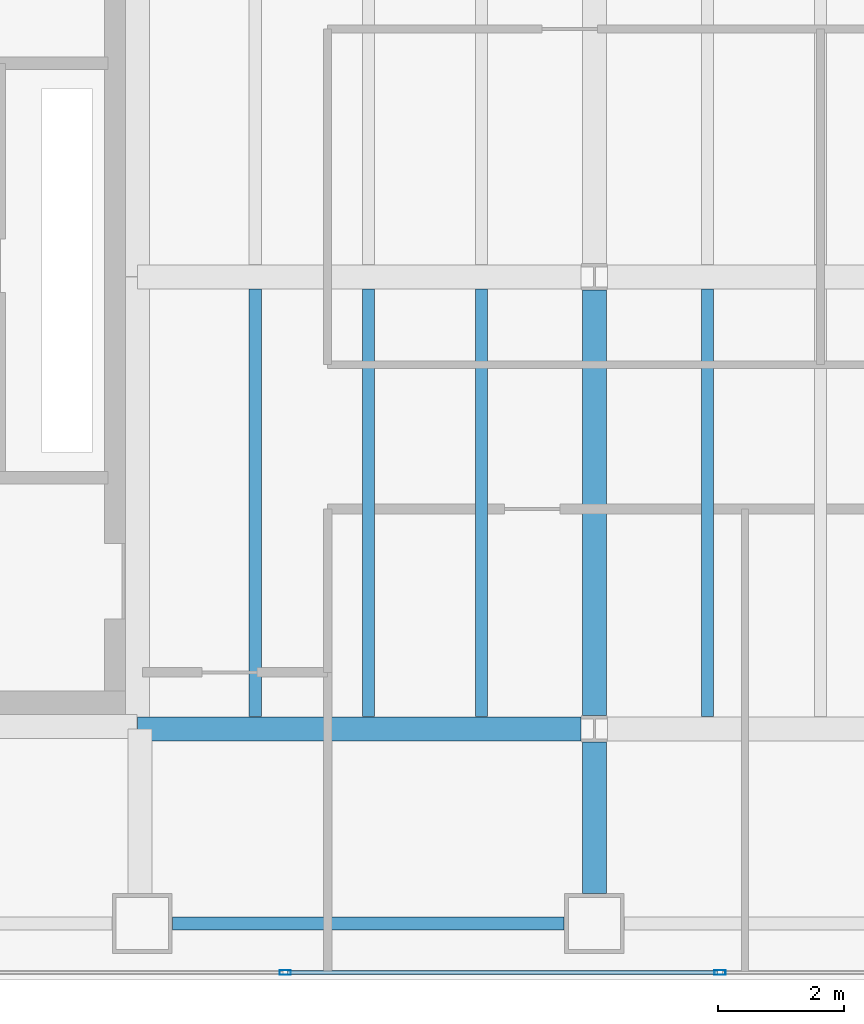
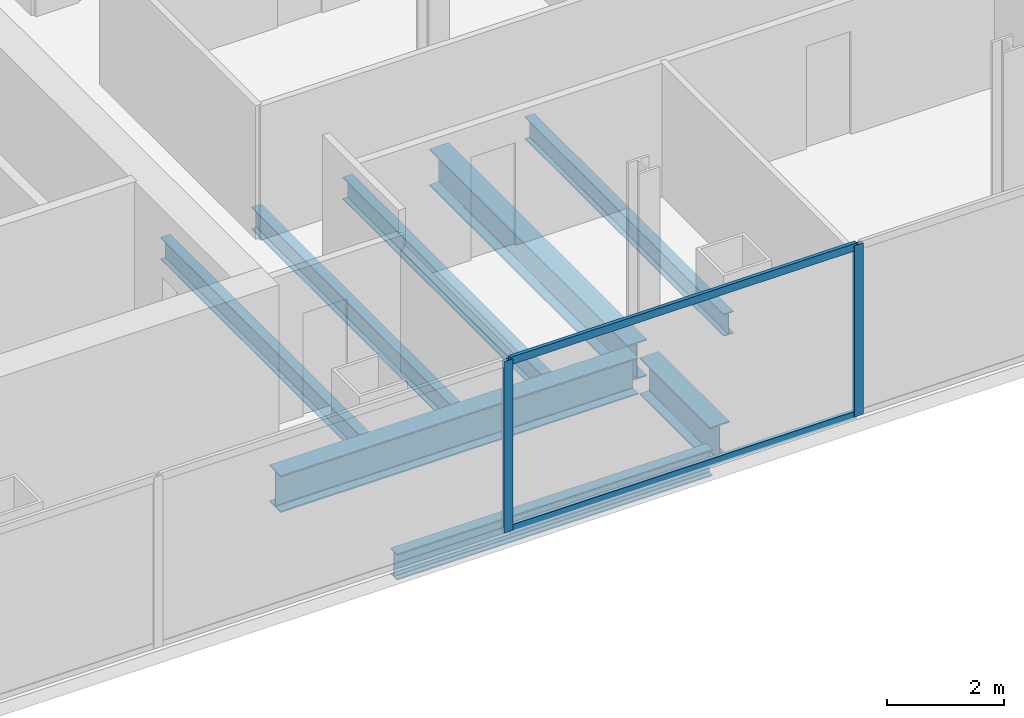
# One storey, part 4 of 24: 8 beams, 4 members, 1 element without a shape of its own.
"""IFC4 building model written with IfcOpenShell, lengths in metres."""

import ifcopenshell
import ifcopenshell.guid

model = None  # the IFC model being written
_history = None  # IfcOwnerHistory: only IFC2X3 demands one
_inside = {}  # id of a spatial element -> (the spatial element, [elements in it])
_under = {}  # id of a project, library or spatial element -> (it, [spatial elements below it])
_declared = {}  # id of a project -> (the project, [libraries it declares])
_typed = {}  # id of a type object -> (the type object, [elements of that type])
_made_of = {}  # id of a material, layer set ... -> (it, [elements and type objects made of it])


def new_model(schema):
    """Start an empty IFC model of exactly this schema.

    Asked for "IFC4X3", IfcOpenShell would pick the latest addendum, in which some entities
    have other attributes; the version numbers below select the first issue.
    IFC2X3 requires an IfcOwnerHistory on every rooted entity: one is made here for all.
    """
    global model, _history
    if schema == "IFC4X3":
        model = ifcopenshell.file(schema_version=(4, 3, 0, 0))
    else:
        model = ifcopenshell.file(schema=schema)
    _inside.clear()
    _under.clear()
    _declared.clear()
    _typed.clear()
    _made_of.clear()
    _history = None
    if model.schema == "IFC2X3":
        org = make("IfcOrganization", Name="unknown")
        user = make(
            "IfcPersonAndOrganization",
            ThePerson=make("IfcPerson", FamilyName="unknown"),
            TheOrganization=org,
        )
        app = make(
            "IfcApplication",
            ApplicationDeveloper=org,
            Version="unknown",
            ApplicationFullName="unknown",
            ApplicationIdentifier="unknown",
        )
        _history = make(
            "IfcOwnerHistory",
            OwningUser=user,
            OwningApplication=app,
            ChangeAction="ADDED",
            CreationDate=0,
        )
    return model


def make(cls, **values):
    """One entity of the class cls with the attributes given. An attribute that is None is left unset."""
    return model.create_entity(
        cls, **{name: value for name, value in values.items() if value is not None}
    )


def rooted(cls, **values):
    """An entity with a GlobalId (a new one), such as an element, a storey or a relation."""
    return make(cls, GlobalId=ifcopenshell.guid.new(), OwnerHistory=_history, **values)


def si_unit(unit_type, name, prefix=None):
    """IfcSIUnit, for example si_unit("LENGTHUNIT", "METRE", prefix="MILLI")."""
    return make("IfcSIUnit", UnitType=unit_type, Prefix=prefix, Name=name)


def assignment(units):
    """IfcUnitAssignment: the units of a project."""
    return None if units is None else make("IfcUnitAssignment", Units=units)


def point(xyz):
    """IfcCartesianPoint."""
    return None if xyz is None else make("IfcCartesianPoint", Coordinates=xyz)


def direction(xyz):
    """IfcDirection."""
    return None if xyz is None else make("IfcDirection", DirectionRatios=xyz)


def frame(location, z_axis=None, x_axis=None):
    """IfcAxis2Placement3D, a coordinate frame: its origin and axes. An axis left out is left unset."""
    return make(
        "IfcAxis2Placement3D",
        Location=point(location),
        Axis=direction(z_axis),
        RefDirection=direction(x_axis),
    )


def frame_2d(location, x_axis=None):
    """IfcAxis2Placement2D, a coordinate frame in the plane: its origin and x axis."""
    return make(
        "IfcAxis2Placement2D", Location=point(location), RefDirection=direction(x_axis)
    )


def origin():
    """The frame at (0, 0, 0) with its axes left unset."""
    return frame((0.0, 0.0, 0.0))


def origin_2d():
    """The frame at (0, 0) in the plane with its x axis left unset."""
    return frame_2d((0.0, 0.0))


def place(relative_to, where):
    """IfcLocalPlacement: puts the frame where relative to a parent placement (None: the world)."""
    return make(
        "IfcLocalPlacement", PlacementRelTo=relative_to, RelativePlacement=where
    )


def context(
    kind, dimensions, precision=None, world=None, true_north=None, identifier=None
):
    """IfcGeometricRepresentationContext, for example the 3D "Model" context."""
    return make(
        "IfcGeometricRepresentationContext",
        ContextIdentifier=identifier,
        ContextType=kind,
        CoordinateSpaceDimension=dimensions,
        Precision=precision,
        WorldCoordinateSystem=world,
        TrueNorth=true_north,
    )


def subcontext(parent, identifier, kind, view, scale=None):
    """IfcGeometricRepresentationSubContext, for example "Body" below "Model"."""
    return make(
        "IfcGeometricRepresentationSubContext",
        ContextIdentifier=identifier,
        ContextType=kind,
        ParentContext=parent,
        TargetScale=scale,
        TargetView=view,
    )


def project(units=None, contexts=None):
    """IfcProject with its units and contexts."""
    return rooted(
        "IfcProject",
        Name="project",
        RepresentationContexts=contexts,
        UnitsInContext=assignment(units),
    )


def spatial(cls, under=None, at=None, **own):
    """A site, building, storey or space (cls), placed at a placement, below another one or the project."""
    s = rooted(cls, ObjectPlacement=at, **own)
    if under is not None:
        _under.setdefault(under.id(), (under, []))[1].append(s)
    return s


def profile(cls, at=None, kind="AREA", **sizes):
    """A parametric profile (cls). Its sizes go by their IFC names, for example OverallWidth=200.0."""
    return make(cls, ProfileType=kind, Position=at, **sizes)


def hollow_rectangle(**sizes):
    """IfcRectangleHollowProfileDef."""
    return profile("IfcRectangleHollowProfileDef", **sizes)


def i_section(**sizes):
    """IfcIShapeProfileDef."""
    return profile("IfcIShapeProfileDef", **sizes)


def extrude(swept, where, along, depth):
    """IfcExtrudedAreaSolid: the profile swept, set in the frame where, extruded along a direction by depth."""
    return make(
        "IfcExtrudedAreaSolid",
        SweptArea=swept,
        Position=where,
        ExtrudedDirection=direction(along),
        Depth=depth,
    )


def shape(context_of_items, identifier, shape_type, items):
    """IfcShapeRepresentation: the items that make up one representation, for example the "Body"."""
    return make(
        "IfcShapeRepresentation",
        ContextOfItems=context_of_items,
        RepresentationIdentifier=identifier,
        RepresentationType=shape_type,
        Items=items,
    )


def material(Name=None, Category=None):
    """IfcMaterial."""
    return make("IfcMaterial", Name=Name, Category=Category)


def material_profile(
    of_material, cross_section, Name=None, Category=None, Priority=None
):
    """IfcMaterialProfile: a cross section and its material."""
    return make(
        "IfcMaterialProfile",
        Name=Name,
        Material=of_material,
        Profile=cross_section,
        Priority=Priority,
        Category=Category,
    )


def profile_set(profiles, Name=None, composite=None):
    """IfcMaterialProfileSet."""
    return make(
        "IfcMaterialProfileSet",
        Name=Name,
        MaterialProfiles=profiles,
        CompositeProfile=composite,
    )


def made_of(thing, what):
    """Note that an element or type object is made of a material, layer set ...; save() writes the relation."""
    if what is not None:
        _made_of.setdefault(what.id(), (what, []))[1].append(thing)
    return thing


def type_object(cls, material=None, **own):
    """A type object (cls), such as IfcWallType, which elements share."""
    return made_of(rooted(cls, **own), material)


def element(
    cls,
    number,
    at=None,
    inside=None,
    cuts=None,
    type_object=None,
    material=None,
    context=None,
    identifier="Body",
    shape_type=None,
    held_by="IfcProductDefinitionShape",
    body=None,
    shapes=None,
    **own,
):
    """One element of the class cls, such as IfcWall. Its Tag is "e" and its number.

    at: its placement. inside: the storey or other place that contains it. cuts: it is an
    opening in that element (IfcRelVoidsElement). A single representation is given by context,
    identifier, shape_type and body (its items); several are given by shapes. held_by: the class
    of the entity that holds the representations. save() writes the other relations.
    """
    e = rooted(cls, Tag="e%d" % number, ObjectPlacement=at, **own)
    if body is not None:
        shapes = [shape(context, identifier, shape_type, body)]
    if shapes is not None:
        e.Representation = make(held_by, Representations=shapes)
    if inside is not None:
        _inside.setdefault(inside.id(), (inside, []))[1].append(e)
    if cuts is not None:
        rooted(
            "IfcRelVoidsElement", RelatingBuildingElement=cuts, RelatedOpeningElement=e
        )
    if type_object is not None:
        _typed.setdefault(type_object.id(), (type_object, []))[1].append(e)
    return made_of(e, material)


def aggregate(whole, parts):
    """IfcRelAggregates: a whole, such as a stair, and the parts it consists of."""
    return rooted("IfcRelAggregates", RelatingObject=whole, RelatedObjects=parts)


def save(model, path):
    """Write the relations noted so far, then the file.

    IfcRelAggregates (storeys below a building ...), IfcRelContainedInSpatialStructure (elements
    in a storey), IfcRelDefinesByType, IfcRelAssociatesMaterial and IfcRelDeclares: one each for
    every whole, place, type object, material and project.
    """
    for whole, parts in _under.values():
        aggregate(whole, parts)
    for where, things in _inside.values():
        rooted(
            "IfcRelContainedInSpatialStructure",
            RelatedElements=things,
            RelatingStructure=where,
        )
    for kind, things in _typed.values():
        rooted("IfcRelDefinesByType", RelatedObjects=things, RelatingType=kind)
    for what, things in _made_of.values():
        rooted("IfcRelAssociatesMaterial", RelatedObjects=things, RelatingMaterial=what)
    for by, libraries in _declared.values():
        rooted("IfcRelDeclares", RelatingContext=by, RelatedDefinitions=libraries)
    model.write(path)


model = new_model("IFC4")

# Units and contexts
model_context = context("Model", 3, precision=1e-05, world=origin(), true_north=direction((0.0, 1.0)))
body_context = subcontext(model_context, "Body", "Model", "MODEL_VIEW")
ifc_project = project(units=[si_unit("LENGTHUNIT", "METRE"), si_unit("AREAUNIT", "SQUARE_METRE"), si_unit("VOLUMEUNIT", "CUBIC_METRE"), si_unit("PLANEANGLEUNIT", "RADIAN"), si_unit("MASSUNIT", "GRAM", prefix="KILO")], contexts=[model_context])

# Site, building, storey
site_placement = place(None, origin())
site = spatial("IfcSite", under=ifc_project, at=site_placement, CompositionType="ELEMENT")
building_placement = place(site_placement, origin())
building = spatial("IfcBuilding", under=site, at=building_placement, Name="Cobrela Telecom Tower", CompositionType="ELEMENT")
storey_placement = place(building_placement, frame((0.0, 0.0, 106.050048828125)))
storey = spatial("IfcBuildingStorey", under=building, at=storey_placement, Name="L26", CompositionType="ELEMENT", Elevation=106.050048828125)

# Beams
ifc_material_1 = material(Name="Steel ASTM A992 Grade 50", Category="steel")
ifc_material_profile_1 = material_profile(ifc_material_1, i_section(OverallWidth=0.381103515625, OverallDepth=0.77197265625, WebThickness=0.0166015625, FlangeThickness=0.027099609375, FilletRadius=0.01904296875, at=origin_2d()), Name="W30X173")
ifc_profile_set_1 = profile_set([ifc_material_profile_1], Name="Steel ASTM A992 Grade 50")
beam_type_1 = type_object("IfcBeamType", Name="BM-GIRD-04", PredefinedType="USERDEFINED", material=ifc_profile_set_1)
beam_1_placement = place(storey_placement, frame((14.324951171875, 7.199951171875, -0.656005859375), z_axis=(1.0, 0.0, 0.0), x_axis=(0.0, 1.0, 0.0)))
element("IfcBeam", 1, at=beam_1_placement, inside=storey, type_object=beam_type_1, Name="L26 Primary Girder X08", ObjectType="GIRDER", PredefinedType="USERDEFINED", context=body_context, shape_type="SweptSolid", body=[
    extrude(i_section(OverallWidth=0.381103515625, OverallDepth=0.77197265625, WebThickness=0.0166015625, FlangeThickness=0.027099609375, FilletRadius=0.01904296875, at=origin_2d()), origin(), (0.0, 0.0, 1.0), 7.0654296875),
])
beam_2_placement = place(storey_placement, frame((21.60009765625, 4.580078125, -0.656005859375), z_axis=(0.0, 1.0, 0.0), x_axis=(-1.0, 0.0, 0.0)))
element("IfcBeam", 2, at=beam_2_placement, inside=storey, type_object=beam_type_1, Name="L26 Primary Girder Y39", ObjectType="GIRDER", PredefinedType="USERDEFINED", context=body_context, shape_type="SweptSolid", body=[
    extrude(i_section(OverallWidth=0.381103515625, OverallDepth=0.77197265625, WebThickness=0.0166015625, FlangeThickness=0.027099609375, FilletRadius=0.01904296875, at=origin_2d()), origin(), (0.0, 0.0, 1.0), 2.410400390625),
])
beam_3_placement = place(storey_placement, frame((21.60009765625, 7.409423828125, -0.656005859375), z_axis=(0.0, 1.0, 0.0), x_axis=(-1.0, 0.0, 0.0)))
element("IfcBeam", 3, at=beam_3_placement, inside=storey, type_object=beam_type_1, Name="L26 Primary Girder Y40", ObjectType="GIRDER", PredefinedType="USERDEFINED", context=body_context, shape_type="SweptSolid", body=[
    extrude(i_section(OverallWidth=0.381103515625, OverallDepth=0.77197265625, WebThickness=0.0166015625, FlangeThickness=0.027099609375, FilletRadius=0.01904296875, at=origin_2d()), origin(), (0.0, 0.0, 1.0), 6.781005859375),
])
ifc_material_profile_2 = material_profile(ifc_material_1, i_section(OverallWidth=0.193115234375, OverallDepth=0.467041015625, WebThickness=0.011474609375, FlangeThickness=0.01904296875, FilletRadius=0.012939453125, at=origin_2d()), Name="W18X65")
ifc_profile_set_2 = profile_set([ifc_material_profile_2], Name="Steel ASTM A992 Grade 50")
beam_type_2 = type_object("IfcBeamType", Name="BM-JOIST-03", PredefinedType="JOIST", material=ifc_profile_set_2)
for number, where, z_axis, x_axis, name in (
    (4, (16.199951171875, 7.3955078125, -0.503662109375), (0.0, 1.0, 0.0), (-1.0, 0.0, 0.0), "L26 Secondary Composite Floor Beam J04"),
    (5, (18.0, 7.3955078125, -0.503662109375), (0.0, 1.0, 0.0), (-1.0, 0.0, 0.0), "L26 Secondary Composite Floor Beam J09"),
    (6, (19.800048828125, 7.3955078125, -0.503662109375), (0.0, 1.0, 0.0), (-1.0, 0.0, 0.0), "L26 Secondary Composite Floor Beam J14"),
    (7, (23.39990234375, 7.3955078125, -0.503662109375), (0.0, 1.0, 0.0), (-1.0, 0.0, 0.0), "L26 Secondary Composite Floor Beam J19"),
):
    element("IfcBeam", number, at=place(storey_placement, frame(where, z_axis=z_axis, x_axis=x_axis)), inside=storey, type_object=beam_type_2, Name=name, PredefinedType="JOIST", context=body_context, shape_type="SweptSolid", body=[
        extrude(i_section(OverallWidth=0.193115234375, OverallDepth=0.467041015625, WebThickness=0.011474609375, FlangeThickness=0.01904296875, FilletRadius=0.012939453125, at=origin_2d()), origin(), (0.0, 0.0, 1.0), 6.80908203125),
    ])
ifc_material_profile_3 = material_profile(ifc_material_1, i_section(OverallWidth=0.212890625, OverallDepth=0.549072265625, WebThickness=0.0146484375, FlangeThickness=0.023681640625, FilletRadius=0.013916015625, at=origin_2d()), Name="W21X93")
ifc_profile_set_3 = profile_set([ifc_material_profile_3], Name="Steel ASTM A992 Grade 50")
beam_type_3 = type_object("IfcBeamType", Name="BM-SPAND-03", PredefinedType="SPANDREL", material=ifc_profile_set_3)
beam_4_placement = place(storey_placement, frame((14.8798828125, 4.10009765625, -0.54443359375), z_axis=(1.0, 0.0, 0.0), x_axis=(0.0, 1.0, 0.0)))
element("IfcBeam", 8, at=beam_4_placement, inside=storey, type_object=beam_type_3, Name="L26 Perimeter Spandrel X02", PredefinedType="SPANDREL", context=body_context, shape_type="SweptSolid", body=[
    extrude(i_section(OverallWidth=0.212890625, OverallDepth=0.549072265625, WebThickness=0.0146484375, FlangeThickness=0.023681640625, FilletRadius=0.013916015625, at=origin_2d()), origin(), (0.0, 0.0, 1.0), 6.240234375),
])

# Curtain wall, members
ifc_material_2 = material(Name="Anodized Bronze Aluminium 6063-T6", Category="aluminium")
curtain_wall_type = type_object("IfcCurtainWallType", Name="CW-SYS-TEL", PredefinedType="USERDEFINED", material=ifc_material_2)
curtain_wall_placement = place(storey_placement, origin())
curtain_wall = element("IfcCurtainWall", 9, at=curtain_wall_placement, inside=storey, type_object=curtain_wall_type, Name="L26 Unitised Bronze Curtain Wall 17", ObjectType="UNITISED CURTAIN WALL", PredefinedType="USERDEFINED")
ifc_material_profile_4 = material_profile(ifc_material_2, hollow_rectangle(XDim=0.074951171875, YDim=0.179931640625, WallThickness=0.00390625, at=origin_2d()), Name="ALU 75x180x4")
ifc_profile_set_4 = profile_set([ifc_material_profile_4], Name="Anodized Bronze Aluminium 6063-T6")
member_type_1 = type_object("IfcMemberType", Name="CW-SYS-TEL-MUL", PredefinedType="MULLION", material=ifc_profile_set_4)
member_1_placement = place(storey_placement, frame((23.60009765625, 3.320068359375, 0.0), z_axis=(0.0, 0.0, 1.0), x_axis=(0.0, -1.0, 0.0)))
member_1 = element("IfcMember", 10, at=member_1_placement, type_object=member_type_1, Name="CW-TEL mullion 4", PredefinedType="MULLION", context=body_context, shape_type="SweptSolid", body=[
    extrude(hollow_rectangle(XDim=0.074951171875, YDim=0.179931640625, WallThickness=0.00390625, at=origin_2d()), origin(), (0.0, 0.0, 1.0), 3.579833984375),
])
member_2_placement = place(storey_placement, frame((16.6767578125, 3.320068359375, 0.0), z_axis=(0.0, 0.0, 1.0), x_axis=(0.0, -1.0, 0.0)))
member_2 = element("IfcMember", 11, at=member_2_placement, type_object=member_type_1, Name="CW-TEL mullion 5", PredefinedType="MULLION", context=body_context, shape_type="SweptSolid", body=[
    extrude(hollow_rectangle(XDim=0.074951171875, YDim=0.179931640625, WallThickness=0.00390625, at=origin_2d()), origin(), (0.0, 0.0, 1.0), 3.579833984375),
])
ifc_material_profile_5 = material_profile(ifc_material_2, hollow_rectangle(XDim=0.070068359375, YDim=0.159912109375, WallThickness=0.00390625, at=origin_2d()), Name="ALU 70x160x4")
ifc_profile_set_5 = profile_set([ifc_material_profile_5], Name="Anodized Bronze Aluminium 6063-T6")
member_type_2 = type_object("IfcMemberType", Name="CW-SYS-TEL-TRN", PredefinedType="USERDEFINED", material=ifc_profile_set_5)
member_3_placement = place(storey_placement, frame((23.5625, 3.320068359375, 0.034912109375), z_axis=(-1.0, 0.0, 0.0), x_axis=(0.0, -1.0, 0.0)))
member_3 = element("IfcMember", 12, at=member_3_placement, type_object=member_type_2, Name="CW-TEL transom 4.1", ObjectType="TRANSOM", PredefinedType="USERDEFINED", context=body_context, shape_type="SweptSolid", body=[
    extrude(hollow_rectangle(XDim=0.070068359375, YDim=0.159912109375, WallThickness=0.00390625, at=origin_2d()), origin(), (0.0, 0.0, 1.0), 6.848388671875),
])
member_4_placement = place(storey_placement, frame((23.5625, 3.320068359375, 3.544921875), z_axis=(-1.0, 0.0, 0.0), x_axis=(0.0, -1.0, 0.0)))
member_4 = element("IfcMember", 13, at=member_4_placement, type_object=member_type_2, Name="CW-TEL transom 4.2", ObjectType="TRANSOM", PredefinedType="USERDEFINED", context=body_context, shape_type="SweptSolid", body=[
    extrude(hollow_rectangle(XDim=0.070068359375, YDim=0.159912109375, WallThickness=0.00390625, at=origin_2d()), origin(), (0.0, 0.0, 1.0), 6.848388671875),
])
aggregate(curtain_wall, [member_1, member_2, member_3, member_4])

save(model, "model.ifc")
